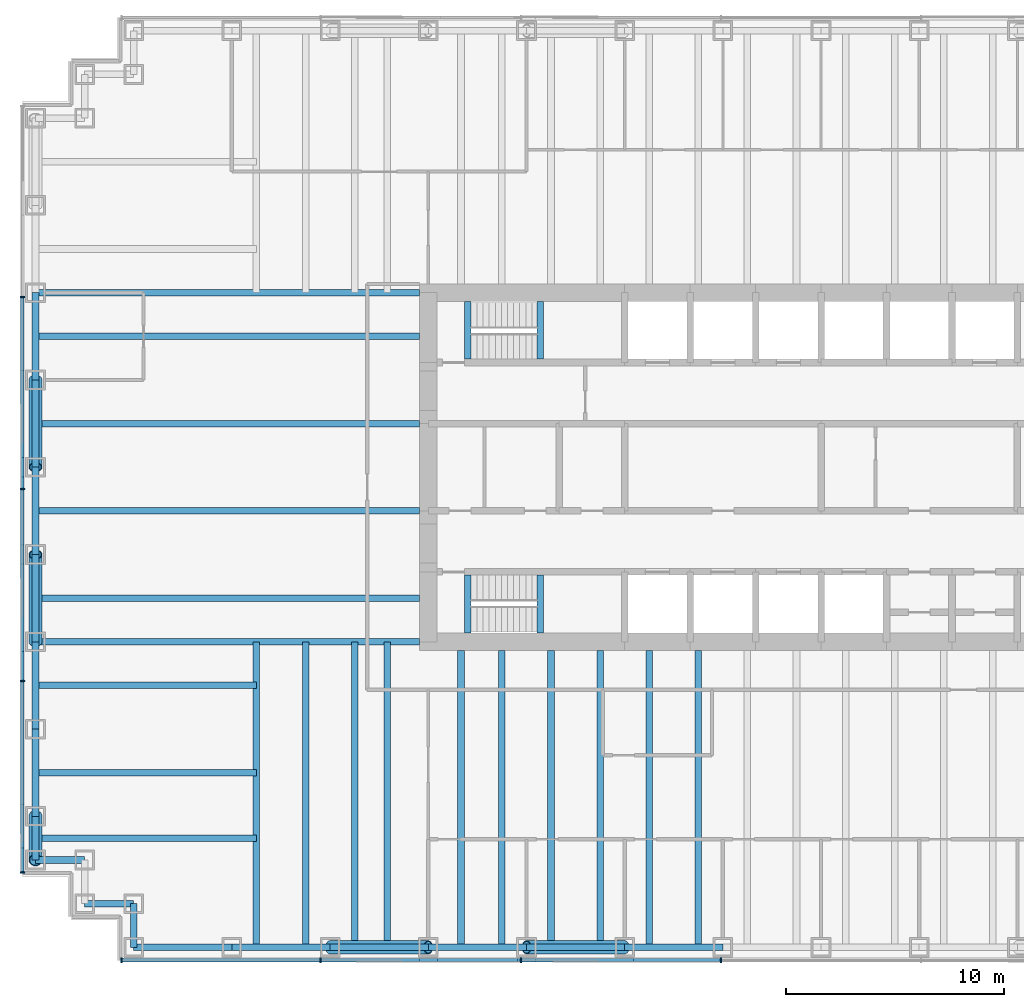
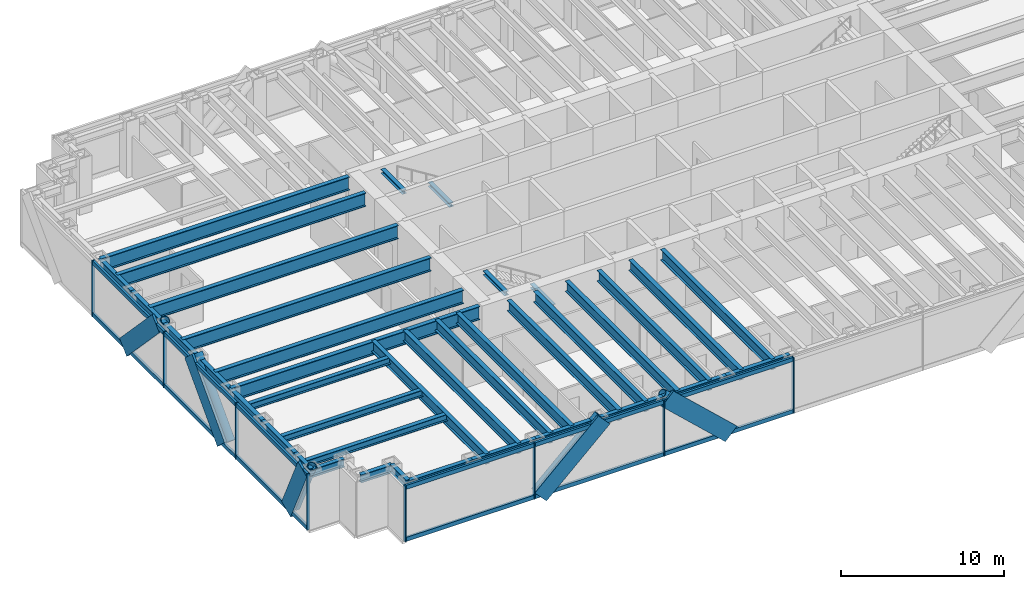
# One storey, part 2 of 14: 39 beams, 30 members, 2 elements without a shape of their own.
"""IFC4 building model written with IfcOpenShell, lengths in metres."""

from ifc_helpers import new_model, si_unit, direction, frame, origin, origin_2d, place, context, subcontext, project, spatial, rectangle, hollow_circle, i_section, extrude, material, material_profile, profile_set, type_object, element, aggregate, save


model = new_model("IFC4")

# Units and contexts
model_context = context("Model", 3, precision=1e-05, world=origin(), true_north=direction((0.0, 1.0)))
body_context = subcontext(model_context, "Body", "Model", "MODEL_VIEW")
ifc_project = project(units=[si_unit("LENGTHUNIT", "METRE"), si_unit("AREAUNIT", "SQUARE_METRE"), si_unit("VOLUMEUNIT", "CUBIC_METRE"), si_unit("PLANEANGLEUNIT", "RADIAN"), si_unit("MASSUNIT", "GRAM", prefix="KILO")], contexts=[model_context])

# Site, building, storey
site_placement = place(None, origin())
site = spatial("IfcSite", under=ifc_project, at=site_placement, CompositionType="ELEMENT")
building_placement = place(site_placement, origin())
building = spatial("IfcBuilding", under=site, at=building_placement, Name="Rheinbord Bourse Tower", CompositionType="ELEMENT")
storey_placement = place(building_placement, frame((0.0, 0.0, 194.199951171875)))
storey = spatial("IfcBuildingStorey", under=building, at=storey_placement, Name="L43", CompositionType="ELEMENT", Elevation=194.199951171875)

# Curtain wall, members
ifc_material_1 = material(Name="Dark glass and black aluminium", Category="aluminium")
curtain_wall_type = type_object("IfcCurtainWallType", Name="CW2 DARK GLASS CURTAIN WALL", PredefinedType="USERDEFINED", material=ifc_material_1)
curtain_wall_1_placement = place(storey_placement, origin())
curtain_wall_1 = element("IfcCurtainWall", 1, at=curtain_wall_1_placement, inside=storey, type_object=curtain_wall_type, Name="Curtain wall CW2 S L43", ObjectType="UNITISED CURTAIN WALL", PredefinedType="USERDEFINED")
ifc_material_2 = material(Name="Black anodised aluminium", Category="aluminium")
ifc_material_profile_1 = material_profile(ifc_material_2, rectangle(XDim=0.159912109375, YDim=1.2099609375, at=origin_2d()), Name="CW2 DIAGONAL MULLION 1210x160")
ifc_profile_set_1 = profile_set([ifc_material_profile_1], Name="Black anodised aluminium")
member_type_1 = type_object("IfcMemberType", Name="CW2 BLACK DIAGONAL MULLION", PredefinedType="USERDEFINED", material=ifc_profile_set_1)
member_1_placement = place(storey_placement, frame((13.5, 1.39990234375, 0.0), z_axis=(0.73105922506, 0.0, 0.682314010889), x_axis=(0.0, 1.0, 0.0)))
member_1 = element("IfcMember", 2, at=member_1_placement, type_object=member_type_1, Name="CW2 diagonal mullion b", ObjectType="DIAGONAL MULLION", PredefinedType="USERDEFINED", context=body_context, shape_type="SweptSolid", body=[
    extrude(rectangle(XDim=0.159912109375, YDim=1.2099609375, at=origin_2d()), origin(), (0.0, 0.0, 1.0), 6.155517578125),
])
member_2_placement = place(storey_placement, frame((27.0, 1.39990234375, 0.0), z_axis=(-0.73105922506, 0.0, 0.682314010889), x_axis=(0.0, -1.0, 0.0)))
member_2 = element("IfcMember", 3, at=member_2_placement, type_object=member_type_1, Name="CW2 diagonal mullion c", ObjectType="DIAGONAL MULLION", PredefinedType="USERDEFINED", context=body_context, shape_type="SweptSolid", body=[
    extrude(rectangle(XDim=0.159912109375, YDim=1.2099609375, at=origin_2d()), origin(), (0.0, 0.0, 1.0), 6.155517578125),
])

curtain_wall_2_placement = place(storey_placement, origin())
curtain_wall_2 = element("IfcCurtainWall", 4, at=curtain_wall_2_placement, inside=storey, type_object=curtain_wall_type, Name="Curtain wall CW2 W L43", ObjectType="UNITISED CURTAIN WALL", PredefinedType="USERDEFINED")
member_3_placement = place(storey_placement, frame((-0.60009765625, 8.0, 0.0), z_axis=(0.0, -0.429937654825, 0.902858578607), x_axis=(1.0, 0.0, 0.0)))
member_3 = element("IfcMember", 5, at=member_3_placement, type_object=member_type_1, Name="CW2 diagonal mullion b", ObjectType="DIAGONAL MULLION", PredefinedType="USERDEFINED", context=body_context, shape_type="SweptSolid", body=[
    extrude(rectangle(XDim=0.159912109375, YDim=1.2099609375, at=origin_2d()), origin(), (0.0, 0.0, 1.0), 4.65185546875),
])
member_4_placement = place(storey_placement, frame((-0.60009765625, 28.0, 0.0), z_axis=(0.0, -0.689659376744, 0.724133926887), x_axis=(1.0, 0.0, 0.0)))
member_4 = element("IfcMember", 6, at=member_4_placement, type_object=member_type_1, Name="CW2 diagonal mullion c", ObjectType="DIAGONAL MULLION", PredefinedType="USERDEFINED", context=body_context, shape_type="SweptSolid", body=[
    extrude(rectangle(XDim=0.159912109375, YDim=1.2099609375, at=origin_2d()), origin(), (0.0, 0.0, 1.0), 5.800048828125),
])
member_5_placement = place(storey_placement, frame((-0.60009765625, 16.0, 0.0), z_axis=(0.0, 0.689659376744, 0.724133926887), x_axis=(-1.0, 0.0, 0.0)))
member_5 = element("IfcMember", 7, at=member_5_placement, type_object=member_type_1, Name="CW2 diagonal mullion d", ObjectType="DIAGONAL MULLION", PredefinedType="USERDEFINED", context=body_context, shape_type="SweptSolid", body=[
    extrude(rectangle(XDim=0.159912109375, YDim=1.2099609375, at=origin_2d()), origin(), (0.0, 0.0, 1.0), 5.800048828125),
])

# Member
ifc_material_3 = material(Name="Black anodised aluminium", Category="aluminium")
ifc_material_profile_2 = material_profile(ifc_material_3, rectangle(XDim=0.219970703125, YDim=0.070068359375, at=origin_2d()), Name="CW2 MULLION 70x220")
ifc_profile_set_2 = profile_set([ifc_material_profile_2], Name="Black anodised aluminium")
member_type_2 = type_object("IfcMemberType", Name="CW2 BLACK MULLION", PredefinedType="MULLION", material=ifc_profile_set_2)
member_6_placement = place(storey_placement, frame((3.93505859375, 1.39990234375, 0.0), z_axis=(0.0, 0.0, 1.0), x_axis=(0.0, 1.0, 0.0)))
member_6 = element("IfcMember", 8, at=member_6_placement, type_object=member_type_2, Name="CW2 mullion 1", PredefinedType="MULLION", context=body_context, shape_type="SweptSolid", body=[
    extrude(rectangle(XDim=0.219970703125, YDim=0.070068359375, at=origin_2d()), origin(), (0.0, 0.0, 1.0), 4.199951171875),
])

member_7_placement = place(storey_placement, frame((13.071533203125, 1.39990234375, 0.0), z_axis=(0.0, 0.0, 1.0), x_axis=(0.0, 1.0, 0.0)))
member_7 = element("IfcMember", 9, at=member_7_placement, type_object=member_type_2, Name="CW2 mullion 2", PredefinedType="MULLION", context=body_context, shape_type="SweptSolid", body=[
    extrude(rectangle(XDim=0.219970703125, YDim=0.070068359375, at=origin_2d()), origin(), (0.0, 0.0, 1.0), 4.199951171875),
])

member_8_placement = place(storey_placement, frame((22.242919921875, 1.39990234375, 0.0), z_axis=(0.0, 0.0, 1.0), x_axis=(0.0, 1.0, 0.0)))
member_8 = element("IfcMember", 10, at=member_8_placement, type_object=member_type_2, Name="CW2 mullion 3", PredefinedType="MULLION", context=body_context, shape_type="SweptSolid", body=[
    extrude(rectangle(XDim=0.219970703125, YDim=0.070068359375, at=origin_2d()), origin(), (0.0, 0.0, 1.0), 4.199951171875),
])

member_9_placement = place(storey_placement, frame((31.414306640625, 1.39990234375, 0.0), z_axis=(0.0, 0.0, 1.0), x_axis=(0.0, 1.0, 0.0)))
member_9 = element("IfcMember", 11, at=member_9_placement, type_object=member_type_2, Name="CW2 mullion 4", PredefinedType="MULLION", context=body_context, shape_type="SweptSolid", body=[
    extrude(rectangle(XDim=0.219970703125, YDim=0.070068359375, at=origin_2d()), origin(), (0.0, 0.0, 1.0), 4.199951171875),
])

member_10_placement = place(storey_placement, frame((-0.60009765625, 31.800048828125, 0.0), z_axis=(0.0, 0.0, 1.0), x_axis=(1.0, 0.0, 0.0)))
member_10 = element("IfcMember", 12, at=member_10_placement, type_object=member_type_2, Name="CW2 mullion 2", PredefinedType="MULLION", context=body_context, shape_type="SweptSolid", body=[
    extrude(rectangle(XDim=0.219970703125, YDim=0.070068359375, at=origin_2d()), origin(), (0.0, 0.0, 1.0), 4.199951171875),
])

member_11_placement = place(storey_placement, frame((-0.60009765625, 23.0, 0.0), z_axis=(0.0, 0.0, 1.0), x_axis=(1.0, 0.0, 0.0)))
member_11 = element("IfcMember", 13, at=member_11_placement, type_object=member_type_2, Name="CW2 mullion 3", PredefinedType="MULLION", context=body_context, shape_type="SweptSolid", body=[
    extrude(rectangle(XDim=0.219970703125, YDim=0.070068359375, at=origin_2d()), origin(), (0.0, 0.0, 1.0), 4.199951171875),
])

member_12_placement = place(storey_placement, frame((-0.60009765625, 14.199951171875, 0.0), z_axis=(0.0, 0.0, 1.0), x_axis=(1.0, 0.0, 0.0)))
member_12 = element("IfcMember", 14, at=member_12_placement, type_object=member_type_2, Name="CW2 mullion 4", PredefinedType="MULLION", context=body_context, shape_type="SweptSolid", body=[
    extrude(rectangle(XDim=0.219970703125, YDim=0.070068359375, at=origin_2d()), origin(), (0.0, 0.0, 1.0), 4.199951171875),
])

member_13_placement = place(storey_placement, frame((-0.60009765625, 5.43505859375, 0.0), z_axis=(0.0, 0.0, 1.0), x_axis=(1.0, 0.0, 0.0)))
member_13 = element("IfcMember", 15, at=member_13_placement, type_object=member_type_2, Name="CW2 mullion 5", PredefinedType="MULLION", context=body_context, shape_type="SweptSolid", body=[
    extrude(rectangle(XDim=0.219970703125, YDim=0.070068359375, at=origin_2d()), origin(), (0.0, 0.0, 1.0), 4.199951171875),
])

ifc_material_4 = material(Name="Black anodised aluminium", Category="aluminium")
ifc_material_profile_3 = material_profile(ifc_material_4, rectangle(XDim=0.159912109375, YDim=0.300048828125, at=origin_2d()), Name="CW2 TRANSOM 300x160")
ifc_profile_set_3 = profile_set([ifc_material_profile_3], Name="Black anodised aluminium")
member_type_3 = type_object("IfcMemberType", Name="CW2 BLACK TRANSOM", PredefinedType="USERDEFINED", material=ifc_profile_set_3)
member_14_placement = place(storey_placement, frame((3.969970703125, 1.39990234375, 0.150146484375), z_axis=(1.0, 0.0, 0.0), x_axis=(0.0, 1.0, 0.0)))
member_14 = element("IfcMember", 16, at=member_14_placement, type_object=member_type_3, Name="CW2 transom 1.1", ObjectType="TRANSOM", PredefinedType="USERDEFINED", context=body_context, shape_type="SweptSolid", body=[
    extrude(rectangle(XDim=0.159912109375, YDim=0.300048828125, at=origin_2d()), origin(), (0.0, 0.0, 1.0), 9.06640625),
])

member_15_placement = place(storey_placement, frame((3.969970703125, 1.39990234375, 4.050048828125), z_axis=(1.0, 0.0, 0.0), x_axis=(0.0, 1.0, 0.0)))
member_15 = element("IfcMember", 17, at=member_15_placement, type_object=member_type_3, Name="CW2 transom 1.2", ObjectType="TRANSOM", PredefinedType="USERDEFINED", context=body_context, shape_type="SweptSolid", body=[
    extrude(rectangle(XDim=0.159912109375, YDim=0.300048828125, at=origin_2d()), origin(), (0.0, 0.0, 1.0), 9.06640625),
])

member_16_placement = place(storey_placement, frame((13.1064453125, 1.39990234375, 0.150146484375), z_axis=(1.0, 0.0, 0.0), x_axis=(0.0, 1.0, 0.0)))
member_16 = element("IfcMember", 18, at=member_16_placement, type_object=member_type_3, Name="CW2 transom 2.1", ObjectType="TRANSOM", PredefinedType="USERDEFINED", context=body_context, shape_type="SweptSolid", body=[
    extrude(rectangle(XDim=0.159912109375, YDim=0.300048828125, at=origin_2d()), origin(), (0.0, 0.0, 1.0), 9.101318359375),
])

member_17_placement = place(storey_placement, frame((13.1064453125, 1.39990234375, 4.050048828125), z_axis=(1.0, 0.0, 0.0), x_axis=(0.0, 1.0, 0.0)))
member_17 = element("IfcMember", 19, at=member_17_placement, type_object=member_type_3, Name="CW2 transom 2.2", ObjectType="TRANSOM", PredefinedType="USERDEFINED", context=body_context, shape_type="SweptSolid", body=[
    extrude(rectangle(XDim=0.159912109375, YDim=0.300048828125, at=origin_2d()), origin(), (0.0, 0.0, 1.0), 9.101318359375),
])

member_18_placement = place(storey_placement, frame((22.27783203125, 1.39990234375, 0.150146484375), z_axis=(1.0, 0.0, 0.0), x_axis=(0.0, 1.0, 0.0)))
member_18 = element("IfcMember", 20, at=member_18_placement, type_object=member_type_3, Name="CW2 transom 3.1", ObjectType="TRANSOM", PredefinedType="USERDEFINED", context=body_context, shape_type="SweptSolid", body=[
    extrude(rectangle(XDim=0.159912109375, YDim=0.300048828125, at=origin_2d()), origin(), (0.0, 0.0, 1.0), 9.1015625),
])

member_19_placement = place(storey_placement, frame((22.27783203125, 1.39990234375, 4.050048828125), z_axis=(1.0, 0.0, 0.0), x_axis=(0.0, 1.0, 0.0)))
member_19 = element("IfcMember", 21, at=member_19_placement, type_object=member_type_3, Name="CW2 transom 3.2", ObjectType="TRANSOM", PredefinedType="USERDEFINED", context=body_context, shape_type="SweptSolid", body=[
    extrude(rectangle(XDim=0.159912109375, YDim=0.300048828125, at=origin_2d()), origin(), (0.0, 0.0, 1.0), 9.1015625),
])

aggregate(curtain_wall_1, [member_6, member_7, member_8, member_9, member_14, member_15, member_16, member_17, member_18, member_19, member_1, member_2])

member_20_placement = place(storey_placement, frame((-0.60009765625, 31.764892578125, 0.150146484375), z_axis=(0.0, -1.0, 0.0), x_axis=(1.0, 0.0, 0.0)))
member_20 = element("IfcMember", 22, at=member_20_placement, type_object=member_type_3, Name="CW2 transom 2.1", ObjectType="TRANSOM", PredefinedType="USERDEFINED", context=body_context, shape_type="SweptSolid", body=[
    extrude(rectangle(XDim=0.159912109375, YDim=0.300048828125, at=origin_2d()), origin(), (0.0, 0.0, 1.0), 8.72998046875),
])

member_21_placement = place(storey_placement, frame((-0.60009765625, 31.764892578125, 4.050048828125), z_axis=(0.0, -1.0, 0.0), x_axis=(1.0, 0.0, 0.0)))
member_21 = element("IfcMember", 23, at=member_21_placement, type_object=member_type_3, Name="CW2 transom 2.2", ObjectType="TRANSOM", PredefinedType="USERDEFINED", context=body_context, shape_type="SweptSolid", body=[
    extrude(rectangle(XDim=0.159912109375, YDim=0.300048828125, at=origin_2d()), origin(), (0.0, 0.0, 1.0), 8.72998046875),
])

member_22_placement = place(storey_placement, frame((-0.60009765625, 22.965087890625, 0.150146484375), z_axis=(0.0, -1.0, 0.0), x_axis=(1.0, 0.0, 0.0)))
member_22 = element("IfcMember", 24, at=member_22_placement, type_object=member_type_3, Name="CW2 transom 3.1", ObjectType="TRANSOM", PredefinedType="USERDEFINED", context=body_context, shape_type="SweptSolid", body=[
    extrude(rectangle(XDim=0.159912109375, YDim=0.300048828125, at=origin_2d()), origin(), (0.0, 0.0, 1.0), 8.72998046875),
])

member_23_placement = place(storey_placement, frame((-0.60009765625, 22.965087890625, 4.050048828125), z_axis=(0.0, -1.0, 0.0), x_axis=(1.0, 0.0, 0.0)))
member_23 = element("IfcMember", 25, at=member_23_placement, type_object=member_type_3, Name="CW2 transom 3.2", ObjectType="TRANSOM", PredefinedType="USERDEFINED", context=body_context, shape_type="SweptSolid", body=[
    extrude(rectangle(XDim=0.159912109375, YDim=0.300048828125, at=origin_2d()), origin(), (0.0, 0.0, 1.0), 8.72998046875),
])

member_24_placement = place(storey_placement, frame((-0.60009765625, 14.1650390625, 0.150146484375), z_axis=(0.0, -1.0, 0.0), x_axis=(1.0, 0.0, 0.0)))
member_24 = element("IfcMember", 26, at=member_24_placement, type_object=member_type_3, Name="CW2 transom 4.1", ObjectType="TRANSOM", PredefinedType="USERDEFINED", context=body_context, shape_type="SweptSolid", body=[
    extrude(rectangle(XDim=0.159912109375, YDim=0.300048828125, at=origin_2d()), origin(), (0.0, 0.0, 1.0), 8.695068359375),
])

member_25_placement = place(storey_placement, frame((-0.60009765625, 14.1650390625, 4.050048828125), z_axis=(0.0, -1.0, 0.0), x_axis=(1.0, 0.0, 0.0)))
member_25 = element("IfcMember", 27, at=member_25_placement, type_object=member_type_3, Name="CW2 transom 4.2", ObjectType="TRANSOM", PredefinedType="USERDEFINED", context=body_context, shape_type="SweptSolid", body=[
    extrude(rectangle(XDim=0.159912109375, YDim=0.300048828125, at=origin_2d()), origin(), (0.0, 0.0, 1.0), 8.695068359375),
])

aggregate(curtain_wall_2, [member_10, member_11, member_12, member_13, member_20, member_21, member_22, member_23, member_24, member_25, member_3, member_4, member_5])

# Beams
ifc_material_5 = material(Name="Steel S460", Category="steel")
ifc_material_profile_4 = material_profile(ifc_material_5, i_section(OverallWidth=0.302001953125, OverallDepth=1.008056640625, WebThickness=0.02099609375, FlangeThickness=0.0400390625, at=origin_2d()), Name="HEM 1000")
ifc_profile_set_4 = profile_set([ifc_material_profile_4], Name="Steel S460")
beam_type_1 = type_object("IfcBeamType", Name="END BEAM HEM 1000", PredefinedType="BEAM", material=ifc_profile_set_4)
for number, where, z_axis, x_axis, name in (
    (28, (0.0, 18.0, 3.5361328125), (1.0, 0.0, 0.0), (0.0, 1.0, 0.0), "End beam west 18 L44"),
    (29, (0.0, 22.0, 3.5361328125), (1.0, 0.0, 0.0), (0.0, 1.0, 0.0), "End beam west 22 L44"),
    (30, (0.0, 26.0, 3.5361328125), (1.0, 0.0, 0.0), (0.0, 1.0, 0.0), "End beam west 26 L44"),
    (31, (0.0, 30.0, 3.5361328125), (1.0, 0.0, 0.0), (0.0, 1.0, 0.0), "End beam west 30 L44"),
):
    element("IfcBeam", number, at=place(storey_placement, frame(where, z_axis=z_axis, x_axis=x_axis)), inside=storey, type_object=beam_type_1, Name=name, PredefinedType="BEAM", context=body_context, shape_type="SweptSolid", body=[
        extrude(i_section(OverallWidth=0.302001953125, OverallDepth=1.008056640625, WebThickness=0.02099609375, FlangeThickness=0.0400390625, at=origin_2d()), origin(), (0.0, 0.0, 1.0), 17.60009765625),
    ])
ifc_material_6 = material(Name="Steel S460", Category="steel")
ifc_material_profile_5 = material_profile(ifc_material_6, i_section(OverallWidth=0.300048828125, OverallDepth=0.800048828125, WebThickness=0.017578125, FlangeThickness=0.032958984375, at=origin_2d()), Name="HEB 800")
ifc_profile_set_5 = profile_set([ifc_material_profile_5], Name="Steel S460")
beam_type_2 = type_object("IfcBeamType", Name="FLOOR BEAM HEB 800", PredefinedType="BEAM", material=ifc_profile_set_5)
for number, where, z_axis, x_axis, name in (
    (32, (10.125, 2.0, 3.64013671875), (0.0, 1.0, 0.0), (-1.0, 0.0, 0.0), "Floor beam S-9a L44"),
    (33, (12.375, 2.0, 3.64013671875), (0.0, 1.0, 0.0), (-1.0, 0.0, 0.0), "Floor beam S-9b L44"),
    (34, (14.625, 2.0, 3.64013671875), (0.0, 1.0, 0.0), (-1.0, 0.0, 0.0), "Floor beam S-13.5a L44"),
    (35, (16.125, 2.0, 3.64013671875), (0.0, 1.0, 0.0), (-1.0, 0.0, 0.0), "Floor beam S-13.5b L44"),
):
    element("IfcBeam", number, at=place(storey_placement, frame(where, z_axis=z_axis, x_axis=x_axis)), inside=storey, type_object=beam_type_2, Name=name, PredefinedType="BEAM", context=body_context, shape_type="SweptSolid", body=[
        extrude(i_section(OverallWidth=0.300048828125, OverallDepth=0.800048828125, WebThickness=0.017578125, FlangeThickness=0.032958984375, at=origin_2d()), origin(), (0.0, 0.0, 1.0), 14.0),
    ])
for number, where, z_axis, x_axis, name in (
    (36, (19.5, 2.0, 3.64013671875), (0.0, 1.0, 0.0), (-1.0, 0.0, 0.0), "Floor beam S-18a L44"),
    (37, (21.375, 2.0, 3.64013671875), (0.0, 1.0, 0.0), (-1.0, 0.0, 0.0), "Floor beam S-18b L44"),
    (38, (23.625, 2.0, 3.64013671875), (0.0, 1.0, 0.0), (-1.0, 0.0, 0.0), "Floor beam S-22.5a L44"),
    (39, (25.875, 2.0, 3.64013671875), (0.0, 1.0, 0.0), (-1.0, 0.0, 0.0), "Floor beam S-22.5b L44"),
    (40, (28.125, 2.0, 3.64013671875), (0.0, 1.0, 0.0), (-1.0, 0.0, 0.0), "Floor beam S-27a L44"),
    (41, (30.375, 2.0, 3.64013671875), (0.0, 1.0, 0.0), (-1.0, 0.0, 0.0), "Floor beam S-27b L44"),
):
    element("IfcBeam", number, at=place(storey_placement, frame(where, z_axis=z_axis, x_axis=x_axis)), inside=storey, type_object=beam_type_2, Name=name, PredefinedType="BEAM", context=body_context, shape_type="SweptSolid", body=[
        extrude(i_section(OverallWidth=0.300048828125, OverallDepth=0.800048828125, WebThickness=0.017578125, FlangeThickness=0.032958984375, at=origin_2d()), origin(), (0.0, 0.0, 1.0), 13.60009765625),
    ])
ifc_material_7 = material(Name="Steel S460", Category="steel")
ifc_material_profile_6 = material_profile(ifc_material_7, i_section(OverallWidth=0.302001953125, OverallDepth=1.008056640625, WebThickness=0.02099609375, FlangeThickness=0.0400390625, at=origin_2d()), Name="HEM 1000")
ifc_profile_set_6 = profile_set([ifc_material_profile_6], Name="Steel S460")
beam_type_3 = type_object("IfcBeamType", Name="GIRDER HEM 1000", PredefinedType="BEAM", material=ifc_profile_set_6)
for number, where, z_axis, x_axis, name in (
    (42, (0.0, 16.0, 3.5361328125), (1.0, 0.0, 0.0), (0.0, 1.0, 0.0), "Girder west 16 L44"),
    (43, (0.0, 32.0, 3.5361328125), (1.0, 0.0, 0.0), (0.0, 1.0, 0.0), "Girder west 32 L44"),
):
    element("IfcBeam", number, at=place(storey_placement, frame(where, z_axis=z_axis, x_axis=x_axis)), inside=storey, type_object=beam_type_3, Name=name, PredefinedType="BEAM", context=body_context, shape_type="SweptSolid", body=[
        extrude(i_section(OverallWidth=0.302001953125, OverallDepth=1.008056640625, WebThickness=0.02099609375, FlangeThickness=0.0400390625, at=origin_2d()), origin(), (0.0, 0.0, 1.0), 17.60009765625),
    ])
ifc_material_8 = material(Name="Steel S460", Category="steel")
ifc_material_profile_7 = material_profile(ifc_material_8, i_section(OverallWidth=0.300048828125, OverallDepth=0.300048828125, WebThickness=0.010986328125, FlangeThickness=0.01904296875, at=origin_2d()), Name="HEB 300")
ifc_profile_set_7 = profile_set([ifc_material_profile_7], Name="Steel S460")
beam_type_4 = type_object("IfcBeamType", Name="LANDING TRIMMER HEB 300", PredefinedType="BEAM", material=ifc_profile_set_7)
for number, where, z_axis, x_axis, name in (
    (44, (23.1298828125, 16.39990234375, 1.75), (0.0, 1.0, 0.0), (-1.0, 0.0, 0.0), "Landing trimmer ST1 L43"),
    (45, (19.800048828125, 16.39990234375, 3.89013671875), (0.0, 1.0, 0.0), (-1.0, 0.0, 0.0), "Well trimmer ST1 under L44"),
    (46, (23.1298828125, 28.949951171875, 1.75), (0.0, 1.0, 0.0), (-1.0, 0.0, 0.0), "Landing trimmer ST2 L43"),
    (47, (19.800048828125, 28.949951171875, 3.89013671875), (0.0, 1.0, 0.0), (-1.0, 0.0, 0.0), "Well trimmer ST2 under L44"),
):
    element("IfcBeam", number, at=place(storey_placement, frame(where, z_axis=z_axis, x_axis=x_axis)), inside=storey, type_object=beam_type_4, Name=name, PredefinedType="BEAM", context=body_context, shape_type="SweptSolid", body=[
        extrude(i_section(OverallWidth=0.300048828125, OverallDepth=0.300048828125, WebThickness=0.010986328125, FlangeThickness=0.01904296875, at=origin_2d()), origin(), (0.0, 0.0, 1.0), 2.650146484375),
    ])

# Members
ifc_material_9 = material(Name="Steel S460", Category="steel")
ifc_material_profile_8 = material_profile(ifc_material_9, hollow_circle(Radius=0.304931640625, WallThickness=0.0400390625, at=origin_2d()), Name="CHS 610x40")
ifc_profile_set_8 = profile_set([ifc_material_profile_8], Name="Steel S460")
member_type_4 = type_object("IfcMemberType", Name="MEGABRACE CHS 610x40", PredefinedType="BRACE", material=ifc_profile_set_8)
for number, where, z_axis, x_axis, name in (
    (48, (13.5, 2.0, 0.0), (0.73105922506, 0.0, 0.682314010889), (0.0, 1.0, 0.0), "Megabrace S face line b L43"),
    (49, (27.0, 2.0, 0.0), (-0.73105922506, 0.0, 0.682314010889), (0.0, -1.0, 0.0), "Megabrace S face line c L43"),
):
    element("IfcMember", number, at=place(storey_placement, frame(where, z_axis=z_axis, x_axis=x_axis)), inside=storey, type_object=member_type_4, Name=name, PredefinedType="BRACE", context=body_context, shape_type="SweptSolid", body=[
        extrude(hollow_circle(Radius=0.304931640625, WallThickness=0.0400390625, at=origin_2d()), origin(), (0.0, 0.0, 1.0), 6.155517578125),
    ])
member_26_placement = place(storey_placement, frame((0.0, 8.0, 0.0), z_axis=(0.0, -0.429937654825, 0.902858578607), x_axis=(1.0, 0.0, 0.0)))
element("IfcMember", 50, at=member_26_placement, inside=storey, type_object=member_type_4, Name="Megabrace W face line b L43", PredefinedType="BRACE", context=body_context, shape_type="SweptSolid", body=[
    extrude(hollow_circle(Radius=0.304931640625, WallThickness=0.0400390625, at=origin_2d()), origin(), (0.0, 0.0, 1.0), 4.65185546875),
])
for number, where, z_axis, x_axis, name in (
    (51, (0.0, 28.0, 0.0), (0.0, -0.689659376744, 0.724133926887), (1.0, 0.0, 0.0), "Megabrace W face line c L43"),
    (52, (0.0, 16.0, 0.0), (0.0, 0.689659376744, 0.724133926887), (-1.0, 0.0, 0.0), "Megabrace W face line d L43"),
):
    element("IfcMember", number, at=place(storey_placement, frame(where, z_axis=z_axis, x_axis=x_axis)), inside=storey, type_object=member_type_4, Name=name, PredefinedType="BRACE", context=body_context, shape_type="SweptSolid", body=[
        extrude(hollow_circle(Radius=0.304931640625, WallThickness=0.0400390625, at=origin_2d()), origin(), (0.0, 0.0, 1.0), 5.800048828125),
    ])

# Beams
ifc_material_10 = material(Name="Steel S460", Category="steel")
ifc_material_profile_9 = material_profile(ifc_material_10, i_section(OverallWidth=0.300048828125, OverallDepth=0.60009765625, WebThickness=0.015380859375, FlangeThickness=0.030029296875, at=origin_2d()), Name="HEB 600")
ifc_profile_set_9 = profile_set([ifc_material_profile_9], Name="Steel S460")
beam_type_5 = type_object("IfcBeamType", Name="SPANDREL HEB 600", PredefinedType="SPANDREL", material=ifc_profile_set_9)
for number, where, z_axis, x_axis, name in (
    (53, (4.5, 2.0, 3.739990234375), (1.0, 0.0, 0.0), (0.0, 1.0, 0.0), "Spandrel SW-E-S-9 under L44"),
    (54, (9.0, 2.0, 3.739990234375), (1.0, 0.0, 0.0), (0.0, 1.0, 0.0), "Spandrel S-9-S-13.5 under L44"),
    (55, (13.5, 2.0, 3.739990234375), (1.0, 0.0, 0.0), (0.0, 1.0, 0.0), "Spandrel S-13.5-S-18 under L44"),
    (56, (18.0, 2.0, 3.739990234375), (1.0, 0.0, 0.0), (0.0, 1.0, 0.0), "Spandrel S-18-S-22.5 under L44"),
    (57, (22.5, 2.0, 3.739990234375), (1.0, 0.0, 0.0), (0.0, 1.0, 0.0), "Spandrel S-22.5-S-27 under L44"),
    (58, (27.0, 2.0, 3.739990234375), (1.0, 0.0, 0.0), (0.0, 1.0, 0.0), "Spandrel S-27-S-31.5 under L44"),
):
    element("IfcBeam", number, at=place(storey_placement, frame(where, z_axis=z_axis, x_axis=x_axis)), inside=storey, type_object=beam_type_5, Name=name, PredefinedType="SPANDREL", context=body_context, shape_type="SweptSolid", body=[
        extrude(i_section(OverallWidth=0.300048828125, OverallDepth=0.60009765625, WebThickness=0.015380859375, FlangeThickness=0.030029296875, at=origin_2d()), origin(), (0.0, 0.0, 1.0), 4.5),
    ])
for number, where, z_axis, x_axis, name in (
    (59, (0.0, 32.0, 3.739990234375), (0.0, -1.0, 0.0), (1.0, 0.0, 0.0), "Spandrel W-32-W-28 under L44"),
    (60, (0.0, 28.0, 3.739990234375), (0.0, -1.0, 0.0), (1.0, 0.0, 0.0), "Spandrel W-28-W-24 under L44"),
    (61, (0.0, 24.0, 3.739990234375), (0.0, -1.0, 0.0), (1.0, 0.0, 0.0), "Spandrel W-24-W-20 under L44"),
    (62, (0.0, 20.0, 3.739990234375), (0.0, -1.0, 0.0), (1.0, 0.0, 0.0), "Spandrel W-20-W-16 under L44"),
    (63, (0.0, 16.0, 3.739990234375), (0.0, -1.0, 0.0), (1.0, 0.0, 0.0), "Spandrel W-16-W-12 under L44"),
    (64, (0.0, 12.0, 3.739990234375), (0.0, -1.0, 0.0), (1.0, 0.0, 0.0), "Spandrel W-12-W-8 under L44"),
):
    element("IfcBeam", number, at=place(storey_placement, frame(where, z_axis=z_axis, x_axis=x_axis)), inside=storey, type_object=beam_type_5, Name=name, PredefinedType="SPANDREL", context=body_context, shape_type="SweptSolid", body=[
        extrude(i_section(OverallWidth=0.300048828125, OverallDepth=0.60009765625, WebThickness=0.015380859375, FlangeThickness=0.030029296875, at=origin_2d()), origin(), (0.0, 0.0, 1.0), 4.0),
    ])
beam_1_placement = place(storey_placement, frame((0.0, 8.0, 3.739990234375), z_axis=(0.0, -1.0, 0.0), x_axis=(1.0, 0.0, 0.0)))
element("IfcBeam", 65, at=beam_1_placement, inside=storey, type_object=beam_type_5, Name="Spandrel W-8-SW-A under L44", PredefinedType="SPANDREL", context=body_context, shape_type="SweptSolid", body=[
    extrude(i_section(OverallWidth=0.300048828125, OverallDepth=0.60009765625, WebThickness=0.015380859375, FlangeThickness=0.030029296875, at=origin_2d()), origin(), (0.0, 0.0, 1.0), 2.0),
])
for number, where, z_axis, x_axis, name in (
    (66, (0.0, 6.0, 3.739990234375), (1.0, 0.0, 0.0), (0.0, 1.0, 0.0), "Spandrel SW-A-SW-B under L44"),
    (67, (2.25, 4.0, 3.739990234375), (1.0, 0.0, 0.0), (0.0, 1.0, 0.0), "Spandrel SW-C-SW-D under L44"),
):
    element("IfcBeam", number, at=place(storey_placement, frame(where, z_axis=z_axis, x_axis=x_axis)), inside=storey, type_object=beam_type_5, Name=name, PredefinedType="SPANDREL", context=body_context, shape_type="SweptSolid", body=[
        extrude(i_section(OverallWidth=0.300048828125, OverallDepth=0.60009765625, WebThickness=0.015380859375, FlangeThickness=0.030029296875, at=origin_2d()), origin(), (0.0, 0.0, 1.0), 2.25),
    ])
beam_2_placement = place(storey_placement, frame((4.5, 4.0, 3.739990234375), z_axis=(0.0, -1.0, 0.0), x_axis=(1.0, 0.0, 0.0)))
element("IfcBeam", 68, at=beam_2_placement, inside=storey, type_object=beam_type_5, Name="Spandrel SW-D-SW-E under L44", PredefinedType="SPANDREL", context=body_context, shape_type="SweptSolid", body=[
    extrude(i_section(OverallWidth=0.300048828125, OverallDepth=0.60009765625, WebThickness=0.015380859375, FlangeThickness=0.030029296875, at=origin_2d()), origin(), (0.0, 0.0, 1.0), 2.0),
])
ifc_material_11 = material(Name="Steel S460", Category="steel")
ifc_material_profile_10 = material_profile(ifc_material_11, i_section(OverallWidth=0.300048828125, OverallDepth=0.5, WebThickness=0.014404296875, FlangeThickness=0.028076171875, at=origin_2d()), Name="HEB 500")
ifc_profile_set_10 = profile_set([ifc_material_profile_10], Name="Steel S460")
beam_type_6 = type_object("IfcBeamType", Name="TIE BEAM HEB 500", PredefinedType="JOIST", material=ifc_profile_set_10)
for number, where, z_axis, x_axis, name in (
    (69, (0.0, 7.0, 3.7900390625), (1.0, 0.0, 0.0), (0.0, 1.0, 0.0), "Tie west 7 L44"),
    (70, (0.0, 10.0, 3.7900390625), (1.0, 0.0, 0.0), (0.0, 1.0, 0.0), "Tie west 10 L44"),
    (71, (0.0, 14.0, 3.7900390625), (1.0, 0.0, 0.0), (0.0, 1.0, 0.0), "Tie west 14 L44"),
):
    element("IfcBeam", number, at=place(storey_placement, frame(where, z_axis=z_axis, x_axis=x_axis)), inside=storey, type_object=beam_type_6, Name=name, PredefinedType="JOIST", context=body_context, shape_type="SweptSolid", body=[
        extrude(i_section(OverallWidth=0.300048828125, OverallDepth=0.5, WebThickness=0.014404296875, FlangeThickness=0.028076171875, at=origin_2d()), origin(), (0.0, 0.0, 1.0), 10.125),
    ])

save(model, "model.ifc")
